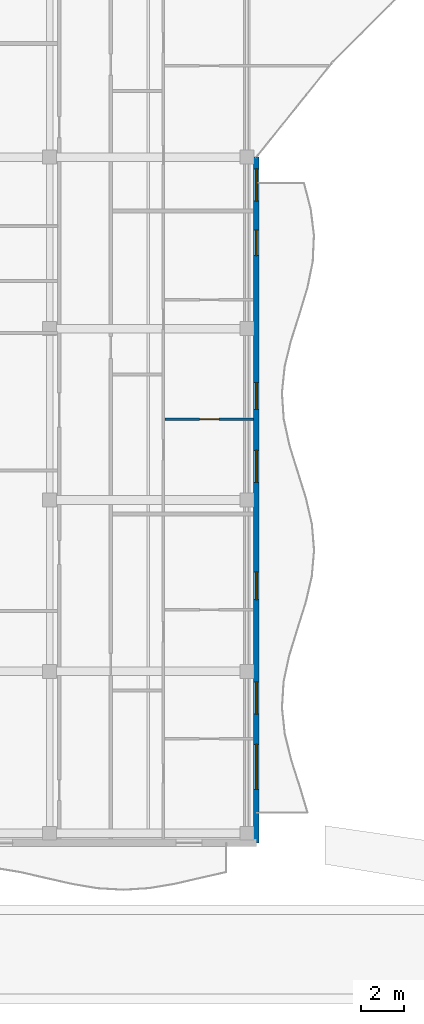
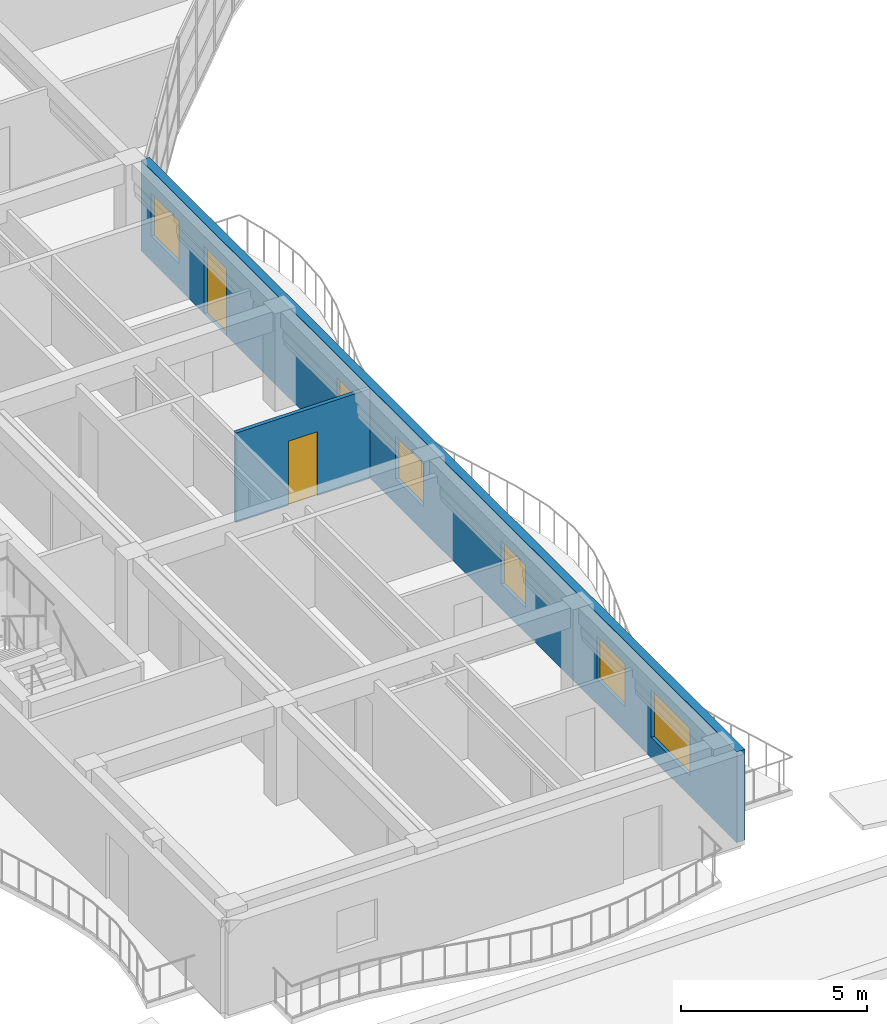
# One storey, part 83 of 128: 6 windows, 2 doors, 2 walls, 8 openings.
"""IFC4 building model written with IfcOpenShell, lengths in metres."""

from ifc_helpers import new_model, si_unit, direction, frame, frame_2d, origin, place, context, subcontext, project, spatial, rectangle, extrude, material, layer, layer_set, type_object, element, fill, save


model = new_model("IFC4")

# Units and contexts
model_context = context("Model", 3, precision=1e-05, world=origin(), true_north=direction((0.0, 1.0)))
body_context = subcontext(model_context, "Body", "Model", "MODEL_VIEW")
ifc_project = project(units=[si_unit("LENGTHUNIT", "METRE"), si_unit("AREAUNIT", "SQUARE_METRE"), si_unit("VOLUMEUNIT", "CUBIC_METRE"), si_unit("PLANEANGLEUNIT", "RADIAN"), si_unit("MASSUNIT", "GRAM", prefix="KILO")], contexts=[model_context])

# Site, building, storey
site_placement = place(None, origin())
site = spatial("IfcSite", under=ifc_project, at=site_placement, CompositionType="ELEMENT")
building_placement = place(site_placement, origin())
building = spatial("IfcBuilding", under=site, at=building_placement, Name="Keldmere Railside Commons", CompositionType="ELEMENT")
storey_placement = place(building_placement, frame((0.0, 0.0, 4.159912109375)))
storey = spatial("IfcBuildingStorey", under=building, at=storey_placement, Name="L01", CompositionType="ELEMENT", Elevation=4.159912109375)

# Wall, opening, door
ifc_material_1 = material(Name="Acoustic Gypsum Board Partition", Category="gypsum")
ifc_layer_1 = layer(ifc_material_1, 0.1201171875, Name="Apartment Interior Partition 120")
ifc_layer_set_1 = layer_set([ifc_layer_1], Name="Acoustic Gypsum Board Partition")
wall_type_1 = type_object("IfcWallType", Name="Apartment Interior Partition 120", PredefinedType="PARTITIONING", material=ifc_layer_set_1)
wall_1_placement = place(storey_placement, frame((59.719970703125, 75.760009765625, 0.0), z_axis=(0.0, 0.0, 1.0), x_axis=(1.0, 0.0, 0.0)))
wall_1 = element("IfcWall", 1, at=wall_1_placement, inside=storey, type_object=wall_type_1, Name="IW-4 IW-L01-0524", PredefinedType="PARTITIONING", context=body_context, shape_type="SweptSolid", body=[
    extrude(rectangle(XDim=4.150146484375, YDim=0.1201171875, at=frame_2d((2.0751953125, 0.0))), origin(), (0.0, 0.0, 1.0), 2.93505859375),
])
opening_1_placement = place(wall_1_placement, frame((1.625, 0.0, 0.0)))
opening_1 = element("IfcOpeningElement", 2, at=opening_1_placement, cuts=wall_1, Name="Opening ID-01", PredefinedType="OPENING", context=body_context, shape_type="SweptSolid", body=[
    extrude(rectangle(XDim=0.89990234375, YDim=2.10009765625, at=frame_2d((0.449951171875, 1.050048828125))), frame((0.0, 0.070068359375, 0.0), z_axis=(0.0, -1.0, 0.0), x_axis=(1.0, 0.0, 0.0)), (0.0, 0.0, 1.0), 0.14013671875),
])
ifc_material_2 = material(Name="Engineered Oak Timber", Category="wood")
door_type_1 = type_object("IfcDoorType", Name="Primary Bedroom Door 900x2100", OperationType="NOTDEFINED", PredefinedType="DOOR", material=ifc_material_2)
door_1_placement = place(opening_1_placement, origin())
door_1 = element("IfcDoor", 3, at=door_1_placement, inside=storey, type_object=door_type_1, Name="ID-01 IDR-L01-0414", OperationType="SINGLE_SWING_RIGHT", OverallHeight=2.10009765625, OverallWidth=0.89990234375, PredefinedType="DOOR", context=body_context, shape_type="SweptSolid", body=[
    extrude(rectangle(XDim=0.89990234375, YDim=2.10009765625, at=frame_2d((0.449951171875, 1.050048828125))), frame((0.0, 0.02490234375, 0.0), z_axis=(0.0, -1.0, 0.0), x_axis=(1.0, 0.0, 0.0)), (0.0, 0.0, 1.0), 0.050048828125),
])
fill(opening_1, door_1)

# Wall, openings, door, windows
ifc_material_3 = material(Name="Terracotta Brick Masonry", Category="masonry")
ifc_layer_2 = layer(ifc_material_3, 0.260009765625, Name="Terracotta Cavity Wall 260")
ifc_layer_set_2 = layer_set([ifc_layer_2], Name="Terracotta Brick Masonry")
wall_type_2 = type_object("IfcWallType", Name="Terracotta Cavity Wall 260", PredefinedType="SOLIDWALL", material=ifc_layer_set_2)
wall_2_placement = place(storey_placement, frame((64.0, 88.0, 0.0), z_axis=(0.0, 0.0, 1.0), x_axis=(0.0, -1.0, 0.0)))
wall_2 = element("IfcWall", 4, at=wall_2_placement, inside=storey, type_object=wall_type_2, Name="EW-1 EXTC-L01-0327", PredefinedType="SOLIDWALL", context=body_context, shape_type="SweptSolid", body=[
    extrude(rectangle(XDim=32.0, YDim=0.260009765625, at=frame_2d((16.0, 0.0))), origin(), (0.0, 0.0, 1.0), 2.97998046875),
])
opening_2_placement = place(wall_2_placement, frame((3.39990234375, 0.0, 0.0)))
opening_2 = element("IfcOpeningElement", 5, at=opening_2_placement, cuts=wall_2, Name="Opening BD-01", PredefinedType="OPENING", context=body_context, shape_type="SweptSolid", body=[
    extrude(rectangle(XDim=1.199951171875, YDim=2.199951171875, at=frame_2d((0.60009765625, 1.10009765625))), frame((0.0, 0.139892578125, 0.0), z_axis=(0.0, -1.0, 0.0), x_axis=(1.0, 0.0, 0.0)), (0.0, 0.0, 1.0), 0.280029296875),
])
opening_3_placement = place(wall_2_placement, frame((10.52490234375, 0.0, 0.8701171875)))
opening_3 = element("IfcOpeningElement", 6, at=opening_3_placement, cuts=wall_2, Name="Opening WN-09", PredefinedType="OPENING", context=body_context, shape_type="SweptSolid", body=[
    extrude(rectangle(XDim=1.25, YDim=1.35009765625, at=frame_2d((0.625, 0.675048828125))), frame((0.0, 0.139892578125, 0.0), z_axis=(0.0, -1.0, 0.0), x_axis=(1.0, 0.0, 0.0)), (0.0, 0.0, 1.0), 0.280029296875),
])
opening_4_placement = place(wall_2_placement, frame((19.35009765625, 0.0, 0.820068359375)))
opening_4 = element("IfcOpeningElement", 7, at=opening_4_placement, cuts=wall_2, Name="Opening WN-10", PredefinedType="OPENING", context=body_context, shape_type="SweptSolid", body=[
    extrude(rectangle(XDim=1.300048828125, YDim=1.39990234375, at=frame_2d((0.64990234375, 0.699951171875))), frame((0.0, 0.139892578125, 0.0), z_axis=(0.0, -1.0, 0.0), x_axis=(1.0, 0.0, 0.0)), (0.0, 0.0, 1.0), 0.280029296875),
])
opening_5_placement = place(wall_2_placement, frame((27.39990234375, 0.0, 0.669921875)))
opening_5 = element("IfcOpeningElement", 8, at=opening_5_placement, cuts=wall_2, Name="Opening WN-11", PredefinedType="OPENING", context=body_context, shape_type="SweptSolid", body=[
    extrude(rectangle(XDim=2.10009765625, YDim=1.550048828125, at=frame_2d((1.050048828125, 0.77490234375))), frame((0.0, 0.139892578125, 0.0), z_axis=(0.0, -1.0, 0.0), x_axis=(1.0, 0.0, 0.0)), (0.0, 0.0, 1.0), 0.280029296875),
])
opening_6_placement = place(wall_2_placement, frame((24.49267578125, 0.0, 0.820068359375)))
opening_6 = element("IfcOpeningElement", 9, at=opening_6_placement, cuts=wall_2, Name="Opening WN-06", PredefinedType="OPENING", context=body_context, shape_type="SweptSolid", body=[
    extrude(rectangle(XDim=1.5, YDim=1.39990234375, at=frame_2d((0.75, 0.699951171875))), frame((0.0, 0.139892578125, 0.0), z_axis=(0.0, -1.0, 0.0), x_axis=(1.0, 0.0, 0.0)), (0.0, 0.0, 1.0), 0.280029296875),
])
opening_7_placement = place(wall_2_placement, frame((13.679931640625, 0.0, 0.820068359375)))
opening_7 = element("IfcOpeningElement", 10, at=opening_7_placement, cuts=wall_2, Name="Opening WN-06", PredefinedType="OPENING", context=body_context, shape_type="SweptSolid", body=[
    extrude(rectangle(XDim=1.5, YDim=1.39990234375, at=frame_2d((0.75, 0.699951171875))), frame((0.0, 0.139892578125, 0.0), z_axis=(0.0, -1.0, 0.0), x_axis=(1.0, 0.0, 0.0)), (0.0, 0.0, 1.0), 0.280029296875),
])
opening_8_placement = place(wall_2_placement, frame((0.550048828125, 0.0, 0.820068359375)))
opening_8 = element("IfcOpeningElement", 11, at=opening_8_placement, cuts=wall_2, Name="Opening WN-06", PredefinedType="OPENING", context=body_context, shape_type="SweptSolid", body=[
    extrude(rectangle(XDim=1.5, YDim=1.39990234375, at=frame_2d((0.75, 0.699951171875))), frame((0.0, 0.139892578125, 0.0), z_axis=(0.0, -1.0, 0.0), x_axis=(1.0, 0.0, 0.0)), (0.0, 0.0, 1.0), 0.280029296875),
])
ifc_material_4 = material(Name="Thermally Broken Aluminium", Category="aluminium")
door_type_2 = type_object("IfcDoorType", Name="Apartment Living Wave-Balcony Glazed Door 1200x2200", OperationType="NOTDEFINED", PredefinedType="DOOR", material=ifc_material_4)
door_2_placement = place(opening_2_placement, origin())
door_2 = element("IfcDoor", 12, at=door_2_placement, inside=storey, type_object=door_type_2, Name="BD-01 DR-L01-0054", OperationType="SINGLE_SWING_RIGHT", OverallHeight=2.199951171875, OverallWidth=1.199951171875, PredefinedType="DOOR", context=body_context, shape_type="SweptSolid", body=[
    extrude(rectangle(XDim=1.199951171875, YDim=2.199951171875, at=frame_2d((0.60009765625, 1.10009765625))), frame((0.0, 0.02490234375, 0.0), z_axis=(0.0, -1.0, 0.0), x_axis=(1.0, 0.0, 0.0)), (0.0, 0.0, 1.0), 0.050048828125),
])
fill(opening_2, door_2)
ifc_material_5 = material(Name="Low-E Insulated Double Glazing", Category="glass")
window_type_1 = type_object("IfcWindowType", Name="Primary Bedroom North Window 1500x1400", PartitioningType="SINGLE_PANEL", PredefinedType="WINDOW", material=ifc_material_5)
window_1_placement = place(opening_6_placement, origin())
window_1 = element("IfcWindow", 13, at=window_1_placement, inside=storey, type_object=window_type_1, Name="WN-06 WIN-L01-9003", OverallHeight=1.39990234375, OverallWidth=1.5, PartitioningType="SINGLE_PANEL", PredefinedType="WINDOW", context=body_context, shape_type="SweptSolid", body=[
    extrude(rectangle(XDim=1.5, YDim=1.39990234375, at=frame_2d((0.75, 0.699951171875))), frame((0.0, 0.030029296875, 0.0), z_axis=(0.0, -1.0, 0.0), x_axis=(1.0, 0.0, 0.0)), (0.0, 0.0, 1.0), 0.06005859375),
])
fill(opening_6, window_1)
window_2_placement = place(opening_7_placement, origin())
window_2 = element("IfcWindow", 14, at=window_2_placement, inside=storey, type_object=window_type_1, Name="WN-06 WIN-L01-9004", OverallHeight=1.39990234375, OverallWidth=1.5, PartitioningType="SINGLE_PANEL", PredefinedType="WINDOW", context=body_context, shape_type="SweptSolid", body=[
    extrude(rectangle(XDim=1.5, YDim=1.39990234375, at=frame_2d((0.75, 0.699951171875))), frame((0.0, 0.030029296875, 0.0), z_axis=(0.0, -1.0, 0.0), x_axis=(1.0, 0.0, 0.0)), (0.0, 0.0, 1.0), 0.06005859375),
])
fill(opening_7, window_2)
window_3_placement = place(opening_8_placement, origin())
window_3 = element("IfcWindow", 15, at=window_3_placement, inside=storey, type_object=window_type_1, Name="WN-06 WIN-L01-9005", OverallHeight=1.39990234375, OverallWidth=1.5, PartitioningType="SINGLE_PANEL", PredefinedType="WINDOW", context=body_context, shape_type="SweptSolid", body=[
    extrude(rectangle(XDim=1.5, YDim=1.39990234375, at=frame_2d((0.75, 0.699951171875))), frame((0.0, 0.030029296875, 0.0), z_axis=(0.0, -1.0, 0.0), x_axis=(1.0, 0.0, 0.0)), (0.0, 0.0, 1.0), 0.06005859375),
])
fill(opening_8, window_3)
window_type_2 = type_object("IfcWindowType", Name="Secondary Bedroom Court Window 1300x1400", PartitioningType="SINGLE_PANEL", PredefinedType="WINDOW", material=ifc_material_5)
window_4_placement = place(opening_4_placement, origin())
window_4 = element("IfcWindow", 16, at=window_4_placement, inside=storey, type_object=window_type_2, Name="WN-10 WIN-L01-0175", OverallHeight=1.39990234375, OverallWidth=1.300048828125, PartitioningType="SINGLE_PANEL", PredefinedType="WINDOW", context=body_context, shape_type="SweptSolid", body=[
    extrude(rectangle(XDim=1.300048828125, YDim=1.39990234375, at=frame_2d((0.64990234375, 0.699951171875))), frame((0.0, 0.030029296875, 0.0), z_axis=(0.0, -1.0, 0.0), x_axis=(1.0, 0.0, 0.0)), (0.0, 0.0, 1.0), 0.06005859375),
])
fill(opening_4, window_4)
window_type_3 = type_object("IfcWindowType", Name="Secondary Bedroom Window 1250x1350", PartitioningType="SINGLE_PANEL", PredefinedType="WINDOW", material=ifc_material_5)
window_5_placement = place(opening_3_placement, origin())
window_5 = element("IfcWindow", 17, at=window_5_placement, inside=storey, type_object=window_type_3, Name="WN-09 WIN-L01-0174", OverallHeight=1.35009765625, OverallWidth=1.25, PartitioningType="SINGLE_PANEL", PredefinedType="WINDOW", context=body_context, shape_type="SweptSolid", body=[
    extrude(rectangle(XDim=1.25, YDim=1.35009765625, at=frame_2d((0.625, 0.675048828125))), frame((0.0, 0.030029296875, 0.0), z_axis=(0.0, -1.0, 0.0), x_axis=(1.0, 0.0, 0.0)), (0.0, 0.0, 1.0), 0.06005859375),
])
fill(opening_3, window_5)
window_type_4 = type_object("IfcWindowType", Name="Studio Wide Casement Window 2100x1550", PartitioningType="SINGLE_PANEL", PredefinedType="WINDOW", material=ifc_material_5)
window_6_placement = place(opening_5_placement, origin())
window_6 = element("IfcWindow", 18, at=window_6_placement, inside=storey, type_object=window_type_4, Name="WN-11 WIN-L01-0176", OverallHeight=1.550048828125, OverallWidth=2.10009765625, PartitioningType="SINGLE_PANEL", PredefinedType="WINDOW", context=body_context, shape_type="SweptSolid", body=[
    extrude(rectangle(XDim=2.10009765625, YDim=1.550048828125, at=frame_2d((1.050048828125, 0.77490234375))), frame((0.0, 0.030029296875, 0.0), z_axis=(0.0, -1.0, 0.0), x_axis=(1.0, 0.0, 0.0)), (0.0, 0.0, 1.0), 0.06005859375),
])
fill(opening_5, window_6)

save(model, "model.ifc")
